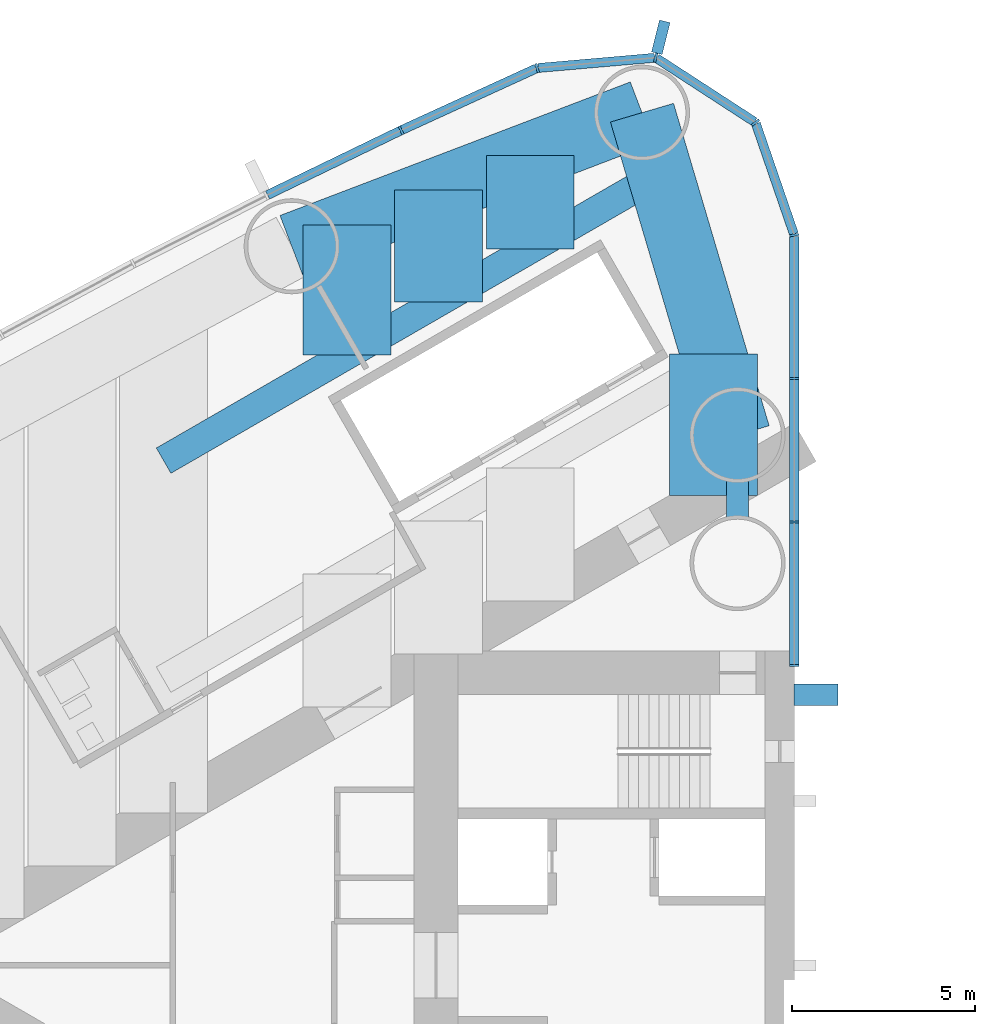
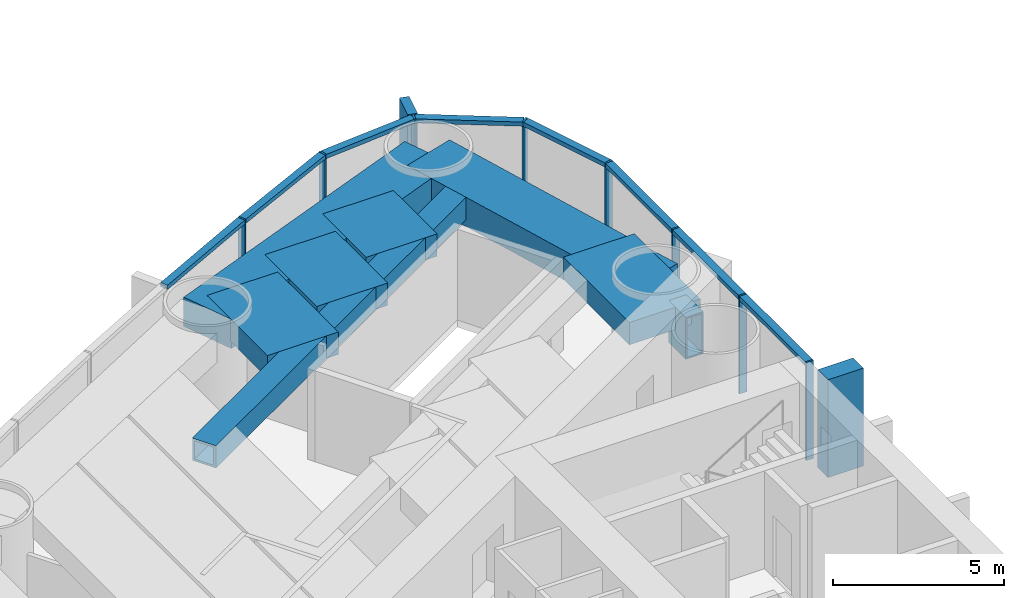
# One storey, part 5 of 19: 18 members, 8 beams, 1 element without a shape of its own.
"""IFC4 building model written with IfcOpenShell, lengths in metres."""

from ifc_helpers import new_model, si_unit, direction, frame, origin, origin_2d, place, context, subcontext, project, spatial, rectangle, hollow_rectangle, extrude, material, material_profile, profile_set, type_object, element, aggregate, save


model = new_model("IFC4")

# Units and contexts
model_context = context("Model", 3, precision=1e-05, world=origin(), true_north=direction((0.0, 1.0)))
body_context = subcontext(model_context, "Body", "Model", "MODEL_VIEW")
ifc_project = project(units=[si_unit("LENGTHUNIT", "METRE"), si_unit("AREAUNIT", "SQUARE_METRE"), si_unit("VOLUMEUNIT", "CUBIC_METRE"), si_unit("PLANEANGLEUNIT", "RADIAN"), si_unit("MASSUNIT", "GRAM", prefix="KILO")], contexts=[model_context])

# Site, building, storey
site_placement = place(None, origin())
site = spatial("IfcSite", under=ifc_project, at=site_placement, CompositionType="ELEMENT")
building_placement = place(site_placement, origin())
building = spatial("IfcBuilding", under=site, at=building_placement, Name="Lancet Gate Hotel", CompositionType="ELEMENT")
storey_placement = place(building_placement, frame((0.0, 0.0, 122.10009765625)))
storey = spatial("IfcBuildingStorey", under=building, at=storey_placement, Name="L32", CompositionType="ELEMENT", Elevation=122.10009765625)

# Curtain wall, members
ifc_material_1 = material(Name="Aluminium curtain wall", Category="aluminium")
curtain_wall_type = type_object("IfcCurtainWallType", Name="Tower unitised curtain wall", PredefinedType="USERDEFINED", material=ifc_material_1)
curtain_wall_placement = place(storey_placement, origin())
curtain_wall = element("IfcCurtainWall", 1, at=curtain_wall_placement, inside=storey, type_object=curtain_wall_type, Name="T1 L32 curtain wall 1", ObjectType="UNITISED CURTAIN WALL", PredefinedType="USERDEFINED")
ifc_material_2 = material(Name="Aluminium mullion", Category="aluminium")
ifc_material_profile_1 = material_profile(ifc_material_2, rectangle(XDim=0.06494140625, YDim=0.25, at=origin_2d()), Name="MULLION 65x250")
ifc_profile_set_1 = profile_set([ifc_material_profile_1], Name="Aluminium mullion")
member_type_1 = type_object("IfcMemberType", Name="Aluminium mullion 65x250", PredefinedType="MULLION", material=ifc_profile_set_1)
member_1_placement = place(storey_placement, frame((-27.5, 8.199951171875, 0.0), z_axis=(0.0, 0.0, 1.0), x_axis=(0.0, 1.0, 0.0)))
member_1 = element("IfcMember", 2, at=member_1_placement, type_object=member_type_1, Name="T1 L32 curtain wall 1 mullion 1", PredefinedType="MULLION", context=body_context, shape_type="SweptSolid", body=[
    extrude(rectangle(XDim=0.06494140625, YDim=0.25, at=origin_2d()), origin(), (0.0, 0.0, 1.0), 3.5),
])
member_2_placement = place(storey_placement, frame((-27.5, 12.123779296875, 0.0), z_axis=(0.0, 0.0, 1.0), x_axis=(0.0, 1.0, 0.0)))
member_2 = element("IfcMember", 3, at=member_2_placement, type_object=member_type_1, Name="T1 L32 curtain wall 1 mullion 2", PredefinedType="MULLION", context=body_context, shape_type="SweptSolid", body=[
    extrude(rectangle(XDim=0.06494140625, YDim=0.25, at=origin_2d()), origin(), (0.0, 0.0, 1.0), 3.5),
])
member_3_placement = place(storey_placement, frame((-27.5, 16.04736328125, 0.0), z_axis=(0.0, 0.0, 1.0), x_axis=(0.0, 1.0, 0.0)))
member_3 = element("IfcMember", 4, at=member_3_placement, type_object=member_type_1, Name="T1 L32 curtain wall 1 mullion 3", PredefinedType="MULLION", context=body_context, shape_type="SweptSolid", body=[
    extrude(rectangle(XDim=0.06494140625, YDim=0.25, at=origin_2d()), origin(), (0.0, 0.0, 1.0), 3.5),
])
member_4_placement = place(storey_placement, frame((-27.5, 19.97119140625, 0.0), z_axis=(0.0, 0.0, 1.0), x_axis=(-0.149634446211, 0.988741388082, 0.0)))
member_4 = element("IfcMember", 5, at=member_4_placement, type_object=member_type_1, Name="T1 L32 curtain wall 1 mullion 4", PredefinedType="MULLION", context=body_context, shape_type="SweptSolid", body=[
    extrude(rectangle(XDim=0.06494140625, YDim=0.25, at=origin_2d()), origin(), (0.0, 0.0, 1.0), 3.5),
])
member_5_placement = place(storey_placement, frame((-28.5595703125, 23.049072265625, 0.0), z_axis=(0.0, 0.0, 1.0), x_axis=(-0.615574240878, 0.788078900851, 0.0)))
member_5 = element("IfcMember", 6, at=member_5_placement, type_object=member_type_1, Name="T1 L32 curtain wall 1 mullion 5", PredefinedType="MULLION", context=body_context, shape_type="SweptSolid", body=[
    extrude(rectangle(XDim=0.06494140625, YDim=0.25, at=origin_2d()), origin(), (0.0, 0.0, 1.0), 3.5),
])
member_6_placement = place(storey_placement, frame((-31.289306640625, 24.822265625, 0.0), z_axis=(0.0, 0.0, 1.0), x_axis=(-0.970242142288, 0.242136707934, 0.0)))
member_6 = element("IfcMember", 7, at=member_6_placement, type_object=member_type_1, Name="T1 L32 curtain wall 1 mullion 6", PredefinedType="MULLION", context=body_context, shape_type="SweptSolid", body=[
    extrude(rectangle(XDim=0.06494140625, YDim=0.25, at=origin_2d()), origin(), (0.0, 0.0, 1.0), 3.5),
])
member_7_placement = place(storey_placement, frame((-34.5322265625, 24.53955078125, 0.0), z_axis=(0.0, 0.0, 1.0), x_axis=(-0.961653318232, -0.27426792655, 0.0)))
member_7 = element("IfcMember", 8, at=member_7_placement, type_object=member_type_1, Name="T1 L32 curtain wall 1 mullion 7", PredefinedType="MULLION", context=body_context, shape_type="SweptSolid", body=[
    extrude(rectangle(XDim=0.06494140625, YDim=0.25, at=origin_2d()), origin(), (0.0, 0.0, 1.0), 3.5),
])
member_8_placement = place(storey_placement, frame((-38.25244140625, 22.83642578125, 0.0), z_axis=(0.0, 0.0, 1.0), x_axis=(-0.904719609771, -0.426007544178, 0.0)))
member_8 = element("IfcMember", 9, at=member_8_placement, type_object=member_type_1, Name="T1 L32 curtain wall 1 mullion 8", PredefinedType="MULLION", context=body_context, shape_type="SweptSolid", body=[
    extrude(rectangle(XDim=0.06494140625, YDim=0.25, at=origin_2d()), origin(), (0.0, 0.0, 1.0), 3.5),
])
ifc_material_3 = material(Name="Aluminium transom", Category="aluminium")
ifc_material_profile_2 = material_profile(ifc_material_3, rectangle(XDim=0.25, YDim=0.14990234375, at=origin_2d()), Name="TRANSOM 250x150")
ifc_profile_set_2 = profile_set([ifc_material_profile_2], Name="Aluminium transom")
member_type_2 = type_object("IfcMemberType", Name="Aluminium transom 250x150", PredefinedType="USERDEFINED", material=ifc_profile_set_2)
member_9_placement = place(storey_placement, frame((-27.5, 8.232421875, 3.4248046875), z_axis=(0.0, 1.0, 0.0), x_axis=(-1.0, 0.0, 0.0)))
member_9 = element("IfcMember", 10, at=member_9_placement, type_object=member_type_2, Name="T1 L32 curtain wall 1 transom 1", ObjectType="TRANSOM", PredefinedType="USERDEFINED", context=body_context, shape_type="SweptSolid", body=[
    extrude(rectangle(XDim=0.25, YDim=0.14990234375, at=origin_2d()), origin(), (0.0, 0.0, 1.0), 3.85888671875),
])
member_10_placement = place(storey_placement, frame((-27.5, 12.15625, 3.4248046875), z_axis=(0.0, 1.0, 0.0), x_axis=(-1.0, 0.0, 0.0)))
member_10 = element("IfcMember", 11, at=member_10_placement, type_object=member_type_2, Name="T1 L32 curtain wall 1 transom 2", ObjectType="TRANSOM", PredefinedType="USERDEFINED", context=body_context, shape_type="SweptSolid", body=[
    extrude(rectangle(XDim=0.25, YDim=0.14990234375, at=origin_2d()), origin(), (0.0, 0.0, 1.0), 3.858642578125),
])
member_11_placement = place(storey_placement, frame((-27.5, 16.079833984375, 3.4248046875), z_axis=(0.0, 1.0, 0.0), x_axis=(-1.0, 0.0, 0.0)))
member_11 = element("IfcMember", 12, at=member_11_placement, type_object=member_type_2, Name="T1 L32 curtain wall 1 transom 3", ObjectType="TRANSOM", PredefinedType="USERDEFINED", context=body_context, shape_type="SweptSolid", body=[
    extrude(rectangle(XDim=0.25, YDim=0.14990234375, at=origin_2d()), origin(), (0.0, 0.0, 1.0), 3.858642578125),
])
member_12_placement = place(storey_placement, frame((-27.510498046875, 20.001708984375, 3.4248046875), z_axis=(-0.32553312754, 0.945530635609, 0.0), x_axis=(-0.945530635609, -0.32553312754, 0.0)))
member_12 = element("IfcMember", 13, at=member_12_placement, type_object=member_type_2, Name="T1 L32 curtain wall 1 transom 4", ObjectType="TRANSOM", PredefinedType="USERDEFINED", context=body_context, shape_type="SweptSolid", body=[
    extrude(rectangle(XDim=0.25, YDim=0.14990234375, at=origin_2d()), origin(), (0.0, 0.0, 1.0), 3.1904296875),
])
member_13_placement = place(storey_placement, frame((-28.5869140625, 23.066650390625, 3.4248046875), z_axis=(-0.838550259452, 0.544824249068, 0.0), x_axis=(-0.544824249068, -0.838550259452, 0.0)))
member_13 = element("IfcMember", 14, at=member_13_placement, type_object=member_type_2, Name="T1 L32 curtain wall 1 transom 5", ObjectType="TRANSOM", PredefinedType="USERDEFINED", context=body_context, shape_type="SweptSolid", body=[
    extrude(rectangle(XDim=0.25, YDim=0.14990234375, at=origin_2d()), origin(), (0.0, 0.0, 1.0), 3.190185546875),
])
member_14_placement = place(storey_placement, frame((-31.32177734375, 24.819580078125, 3.4248046875), z_axis=(-0.996213545522, -0.086940046686, 0.0), x_axis=(0.086940046686, -0.996213545522, 0.0)))
member_14 = element("IfcMember", 15, at=member_14_placement, type_object=member_type_2, Name="T1 L32 curtain wall 1 transom 6", ObjectType="TRANSOM", PredefinedType="USERDEFINED", context=body_context, shape_type="SweptSolid", body=[
    extrude(rectangle(XDim=0.25, YDim=0.14990234375, at=origin_2d()), origin(), (0.0, 0.0, 1.0), 3.18994140625),
])
member_15_placement = place(storey_placement, frame((-34.561767578125, 24.52587890625, 3.4248046875), z_axis=(-0.909252284196, -0.416245460857, 0.0), x_axis=(0.416245460857, -0.909252284196, 0.0)))
member_15 = element("IfcMember", 16, at=member_15_placement, type_object=member_type_2, Name="T1 L32 curtain wall 1 transom 7", ObjectType="TRANSOM", PredefinedType="USERDEFINED", context=body_context, shape_type="SweptSolid", body=[
    extrude(rectangle(XDim=0.25, YDim=0.14990234375, at=origin_2d()), origin(), (0.0, 0.0, 1.0), 4.026611328125),
])
member_16_placement = place(storey_placement, frame((-38.28173828125, 22.822265625, 3.4248046875), z_axis=(-0.900065677074, -0.435754262117, 0.0), x_axis=(0.435754262117, -0.900065677074, 0.0)))
member_16 = element("IfcMember", 17, at=member_16_placement, type_object=member_type_2, Name="T1 L32 curtain wall 1 transom 8", ObjectType="TRANSOM", PredefinedType="USERDEFINED", context=body_context, shape_type="SweptSolid", body=[
    extrude(rectangle(XDim=0.25, YDim=0.14990234375, at=origin_2d()), origin(), (0.0, 0.0, 1.0), 4.026611328125),
])

# Beams
ifc_material_4 = material(Name="Concrete C50/60", Category="concrete")
ifc_material_profile_3 = material_profile(ifc_material_4, rectangle(XDim=1.800048828125, YDim=1.050048828125, at=origin_2d()), Name="RC 1800x1050")
ifc_profile_set_3 = profile_set([ifc_material_profile_3], Name="Concrete C50/60")
beam_type_1 = type_object("IfcBeamType", Name="Edge beam RC 1800x1050", PredefinedType="SPANDREL", material=ifc_profile_set_3)
beam_1_placement = place(storey_placement, frame((-31.66455078125, 23.318359375, 2.724853515625), z_axis=(-0.934392266213, -0.356245832033, 0.0), x_axis=(0.356245832033, -0.934392266213, 0.0)))
element("IfcBeam", 18, at=beam_1_placement, inside=storey, type_object=beam_type_1, Name="T1 edge beam EB1 L32", PredefinedType="SPANDREL", context=body_context, shape_type="SweptSolid", body=[
    extrude(rectangle(XDim=1.800048828125, YDim=1.050048828125, at=origin_2d()), origin(), (0.0, 0.0, 1.0), 10.2529296875),
])
beam_2_placement = place(storey_placement, frame((-31.66455078125, 23.318359375, 2.724853515625), z_axis=(0.284253711522, -0.958749095168, 0.0), x_axis=(0.958749095168, 0.284253711522, 0.0)))
element("IfcBeam", 19, at=beam_2_placement, inside=storey, type_object=beam_type_1, Name="T1 edge beam EB1 L32", PredefinedType="SPANDREL", context=body_context, shape_type="SweptSolid", body=[
    extrude(rectangle(XDim=1.800048828125, YDim=1.050048828125, at=origin_2d()), origin(), (0.0, 0.0, 1.0), 9.19775390625),
])

# Member
ifc_material_5 = material(Name="Concrete C60/75", Category="concrete")
ifc_material_profile_4 = material_profile(ifc_material_5, rectangle(XDim=0.60009765625, YDim=1.199951171875, at=origin_2d()), Name="FIN 600x1200")
ifc_profile_set_4 = profile_set([ifc_material_profile_4], Name="Concrete C60/75")
member_type_3 = type_object("IfcMemberType", Name="Exposed concrete buttress pilaster 600x1200", PredefinedType="USERDEFINED", material=ifc_profile_set_4)
member_17_placement = place(storey_placement, frame((-26.909912109375, 7.39990234375, 0.0), z_axis=(0.0, 0.0, 1.0), x_axis=(0.0, 1.0, 0.0)))
element("IfcMember", 20, at=member_17_placement, inside=storey, type_object=member_type_3, Name="T1 buttress pilaster S L32", ObjectType="FIN", PredefinedType="USERDEFINED", context=body_context, shape_type="SweptSolid", body=[
    extrude(rectangle(XDim=0.60009765625, YDim=1.199951171875, at=origin_2d()), origin(), (0.0, 0.0, 1.0), 3.5),
])

ifc_material_6 = material(Name="Precast concrete C50/60", Category="concrete")
ifc_material_profile_5 = material_profile(ifc_material_6, rectangle(XDim=0.300048828125, YDim=0.89990234375, at=origin_2d()), Name="FIN 300x900")
ifc_profile_set_5 = profile_set([ifc_material_profile_5], Name="Precast concrete C50/60")
member_type_4 = type_object("IfcMemberType", Name="Exposed concrete fin 300x900", PredefinedType="USERDEFINED", material=ifc_profile_set_5)
member_18_placement = place(storey_placement, frame((-31.150146484375, 25.380126953125, 0.0), z_axis=(0.0, 0.0, 1.0), x_axis=(-0.970242142288, 0.242136707934, 0.0)))
member_18 = element("IfcMember", 21, at=member_18_placement, type_object=member_type_4, Name="T1 L32 curtain wall 1 fin 6", ObjectType="FIN", PredefinedType="USERDEFINED", context=body_context, shape_type="SweptSolid", body=[
    extrude(rectangle(XDim=0.300048828125, YDim=0.89990234375, at=origin_2d()), origin(), (0.0, 0.0, 1.0), 3.5),
])

aggregate(curtain_wall, [member_1, member_2, member_3, member_4, member_5, member_6, member_18, member_7, member_8, member_9, member_10, member_11, member_12, member_13, member_14, member_15, member_16])

# Beams
ifc_material_7 = material(Name="Concrete C50/60", Category="concrete")
ifc_material_profile_6 = material_profile(ifc_material_7, rectangle(XDim=2.39990234375, YDim=0.800048828125, at=origin_2d()), Name="RC 2400x800")
ifc_profile_set_6 = profile_set([ifc_material_profile_6], Name="Concrete C50/60")
beam_type_2 = type_object("IfcBeamType", Name="Floor beam RC 2400x800", PredefinedType="BEAM", material=ifc_profile_set_6)
beam_3_placement = place(storey_placement, frame((-29.706787109375, 16.71533203125, 2.849853515625), z_axis=(0.0, -1.0, 0.0), x_axis=(1.0, 0.0, 0.0)))
element("IfcBeam", 22, at=beam_3_placement, inside=storey, type_object=beam_type_2, Name="T1 floor beam F02S L32", PredefinedType="BEAM", context=body_context, shape_type="SweptSolid", body=[
    extrude(rectangle(XDim=2.39990234375, YDim=0.800048828125, at=origin_2d()), origin(), (0.0, 0.0, 1.0), 3.86279296875),
])
beam_4_placement = place(storey_placement, frame((-34.720458984375, 22.1533203125, 2.849853515625), z_axis=(0.0, -1.0, 0.0), x_axis=(1.0, 0.0, 0.0)))
element("IfcBeam", 23, at=beam_4_placement, inside=storey, type_object=beam_type_2, Name="T1 floor beam F04SA L32", PredefinedType="BEAM", context=body_context, shape_type="SweptSolid", body=[
    extrude(rectangle(XDim=2.39990234375, YDim=0.800048828125, at=origin_2d()), origin(), (0.0, 0.0, 1.0), 2.561767578125),
])
beam_5_placement = place(storey_placement, frame((-37.227294921875, 21.197509765625, 2.849853515625), z_axis=(0.0, -1.0, 0.0), x_axis=(1.0, 0.0, 0.0)))
element("IfcBeam", 24, at=beam_5_placement, inside=storey, type_object=beam_type_2, Name="T1 floor beam F05SA L32", PredefinedType="BEAM", context=body_context, shape_type="SweptSolid", body=[
    extrude(rectangle(XDim=2.39990234375, YDim=0.800048828125, at=origin_2d()), origin(), (0.0, 0.0, 1.0), 3.053466796875),
])
beam_6_placement = place(storey_placement, frame((-39.734130859375, 20.24169921875, 2.849853515625), z_axis=(0.0, -1.0, 0.0), x_axis=(1.0, 0.0, 0.0)))
element("IfcBeam", 25, at=beam_6_placement, inside=storey, type_object=beam_type_2, Name="T1 floor beam F07SA L32", PredefinedType="BEAM", context=body_context, shape_type="SweptSolid", body=[
    extrude(rectangle(XDim=2.39990234375, YDim=0.800048828125, at=origin_2d()), origin(), (0.0, 0.0, 1.0), 3.545166015625),
])
ifc_material_8 = material(Name="Steel S460QL", Category="steel")
ifc_material_profile_7 = material_profile(ifc_material_8, hollow_rectangle(XDim=0.60009765625, YDim=1.5, WallThickness=0.050048828125, at=origin_2d()), Name="BOX 1500x600x50")
ifc_profile_set_7 = profile_set([ifc_material_profile_7], Name="Steel S460QL")
beam_type_3 = type_object("IfcBeamType", Name="Inner-face link beam BOX 1500x600x50", PredefinedType="BEAM", material=ifc_profile_set_7)
beam_7_placement = place(storey_placement, frame((-29.050048828125, 13.25, 2.5), z_axis=(0.0, -1.0, 0.0), x_axis=(1.0, 0.0, 0.0)))
element("IfcBeam", 26, at=beam_7_placement, inside=storey, type_object=beam_type_3, Name="T1 inner-face link beam LK1 L32", PredefinedType="BEAM", context=body_context, shape_type="SweptSolid", body=[
    extrude(hollow_rectangle(XDim=0.60009765625, YDim=1.5, WallThickness=0.050048828125, at=origin_2d()), origin(), (0.0, 0.0, 1.0), 1.0),
])
ifc_material_9 = material(Name="Steel S460QL", Category="steel")
ifc_material_profile_8 = material_profile(ifc_material_9, hollow_rectangle(XDim=0.800048828125, YDim=0.800048828125, WallThickness=0.080078125, at=origin_2d()), Name="BOX 800x800x80")
ifc_profile_set_8 = profile_set([ifc_material_profile_8], Name="Steel S460QL")
beam_type_4 = type_object("IfcBeamType", Name="Trimmer beam BOX 800x800x80", PredefinedType="BEAM", material=ifc_profile_set_8)
beam_8_placement = place(storey_placement, frame((-31.16796875, 21.642822265625, 2.849853515625), z_axis=(-0.866004868127, -0.500035567115, 0.0), x_axis=(0.500035567115, -0.866004868127, 0.0)))
element("IfcBeam", 27, at=beam_8_placement, inside=storey, type_object=beam_type_4, Name="T1 trimmer beam TR04S L32", PredefinedType="BEAM", context=body_context, shape_type="SweptSolid", body=[
    extrude(hollow_rectangle(XDim=0.800048828125, YDim=0.800048828125, WallThickness=0.080078125, at=origin_2d()), origin(), (0.0, 0.0, 1.0), 15.680908203125),
])

save(model, "model.ifc")
